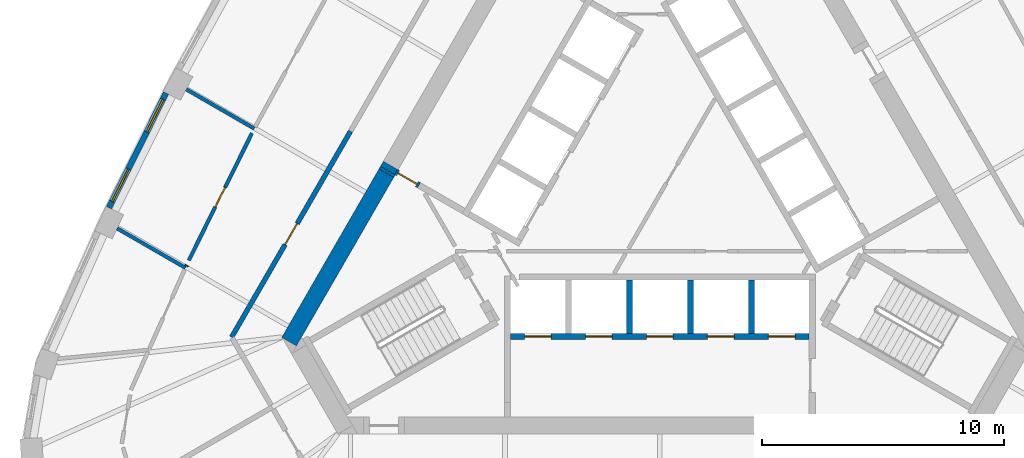
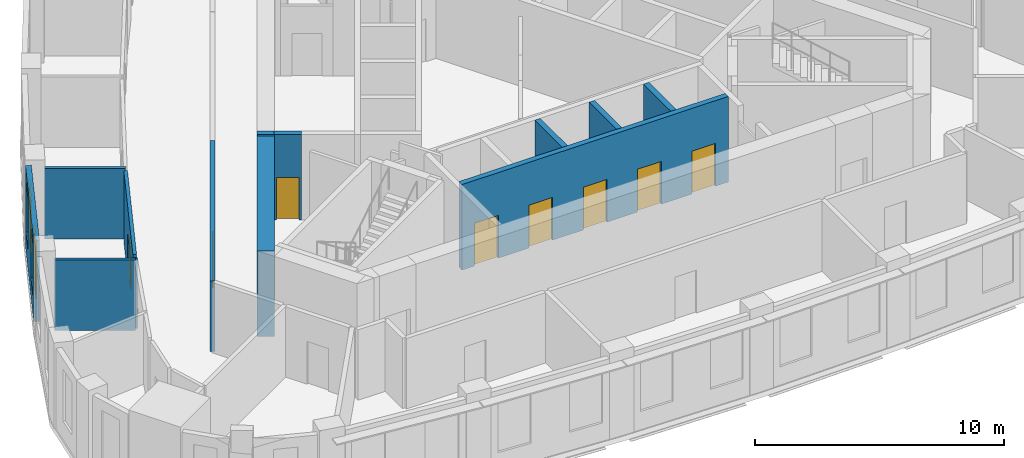
# One storey, part 4 of 11: 14 walls, 8 doors, 2 windows, 10 openings.
"""IFC4 building model written with IfcOpenShell, lengths in metres."""

from ifc_helpers import new_model, si_unit, direction, frame, frame_2d, origin, place, context, subcontext, project, spatial, polyline, rectangle, outline, extrude, material, layer, layer_set, type_object, element, fill, save


model = new_model("IFC4")

# Units and contexts
model_context = context("Model", 3, precision=1e-05, world=origin(), true_north=direction((0.0, 1.0)))
body_context = subcontext(model_context, "Body", "Model", "MODEL_VIEW")
ifc_project = project(units=[si_unit("LENGTHUNIT", "METRE"), si_unit("AREAUNIT", "SQUARE_METRE"), si_unit("VOLUMEUNIT", "CUBIC_METRE"), si_unit("PLANEANGLEUNIT", "RADIAN"), si_unit("MASSUNIT", "GRAM", prefix="KILO")], contexts=[model_context])

# Site, building, storey
site_placement = place(None, origin())
site = spatial("IfcSite", under=ifc_project, at=site_placement, CompositionType="ELEMENT")
building_placement = place(site_placement, origin())
building = spatial("IfcBuilding", under=site, at=building_placement, Name="Mestral Congress Tower", CompositionType="ELEMENT")
storey_placement = place(building_placement, frame((0.0, 0.0, 205.800048828125)))
storey = spatial("IfcBuildingStorey", under=building, at=storey_placement, Name="L48", CompositionType="ELEMENT", Elevation=205.800048828125)

# Walls
ifc_material_1 = material(Name="Concrete C60/75", Category="concrete")
ifc_layer_1 = layer(ifc_material_1, 0.699951171875)
ifc_layer_set_1 = layer_set([ifc_layer_1], Name="Concrete C60/75")
wall_type_1 = type_object("IfcWallType", Name="Core wall RC 700", PredefinedType="SOLIDWALL", material=ifc_layer_set_1)
wall_1_placement = place(storey_placement, frame((-11.30126953125, 0.425537109375, 0.0), z_axis=(0.0, 0.0, 1.0), x_axis=(0.50111559984, 0.865380353138, 0.0)))
element("IfcWall", 1, at=wall_1_placement, inside=storey, type_object=wall_type_1, Name="L48 core wall", PredefinedType="SOLIDWALL", context=body_context, shape_type="SweptSolid", body=[
    extrude(rectangle(XDim=0.121337890625, YDim=0.699951171875, at=frame_2d((0.060546875, 0.0))), origin(), (0.0, 0.0, 1.0), 4.199951171875),
])
wall_2_placement = place(storey_placement, frame((-15.3212890625, -6.537353515625, 0.0), z_axis=(0.0, 0.0, 1.0), x_axis=(0.500000268222, 0.866025248926, 0.0)))
element("IfcWall", 2, at=wall_2_placement, inside=storey, type_object=wall_type_1, Name="L48 core wall", PredefinedType="SOLIDWALL", context=body_context, shape_type="SweptSolid", body=[
    extrude(rectangle(XDim=8.0380859375, YDim=0.699951171875, at=frame_2d((4.01904296875, 0.0))), origin(), (0.0, 0.0, 1.0), 4.199951171875),
])
wall_3_placement = place(storey_placement, origin())
element("IfcWall", 3, at=wall_3_placement, inside=storey, type_object=wall_type_1, Name="L48 core wall", PredefinedType="SOLIDWALL", context=body_context, shape_type="SweptSolid", body=[
    extrude(outline(polyline([(-11.542724609375, 0.70751953125), (-11.423583984375, 0.91357421875), (-10.84326171875, 0.578369140625), (-10.962158203125, 0.372314453125), (-11.542724609375, 0.70751953125)])), origin(), (0.0, 0.0, 1.0), 4.199951171875),
])

# Wall, openings, windows
ifc_material_2 = material(Name="Precast concrete C40/50 with limestone facing", Category="masonry")
ifc_layer_2 = layer(ifc_material_2, 0.239990234375)
ifc_layer_set_2 = layer_set([ifc_layer_2], Name="Precast concrete C40/50 with limestone facing")
wall_type_2 = type_object("IfcWallType", Name="Facade stone wall 240", PredefinedType="SOLIDWALL", material=ifc_layer_set_2)
wall_4_placement = place(storey_placement, frame((-20.407470703125, 3.739501953125, 0.0), z_axis=(0.0, 0.0, 1.0), x_axis=(-0.445129582031, -0.895466166419, 0.0)))
wall_4 = element("IfcWall", 4, at=wall_4_placement, inside=storey, type_object=wall_type_2, Name="Facade wall F2-04", PredefinedType="SOLIDWALL", context=body_context, shape_type="SweptSolid", body=[
    extrude(rectangle(XDim=5.29833984375, YDim=0.239990234375, at=frame_2d((2.649169921875, 0.0))), origin(), (0.0, 0.0, 1.0), 3.949951171875),
])
opening_1_placement = place(wall_4_placement, frame((0.294677734375, 0.0, 0.89990234375)))
opening_1 = element("IfcOpeningElement", 5, at=opening_1_placement, cuts=wall_4, Name="Opening W4", PredefinedType="OPENING", context=body_context, shape_type="SweptSolid", body=[
    extrude(rectangle(XDim=1.5, YDim=2.550048828125, at=frame_2d((0.75, 1.27490234375))), frame((0.0, 0.1298828125, 0.0), z_axis=(0.0, -1.0, 0.0), x_axis=(1.0, 0.0, 0.0)), (0.0, 0.0, 1.0), 0.260009765625),
])
opening_2_placement = place(wall_4_placement, frame((3.503662109375, 0.0, 0.89990234375)))
opening_2 = element("IfcOpeningElement", 6, at=opening_2_placement, cuts=wall_4, Name="Opening W4", PredefinedType="OPENING", context=body_context, shape_type="SweptSolid", body=[
    extrude(rectangle(XDim=1.5, YDim=2.550048828125, at=frame_2d((0.75, 1.27490234375))), frame((0.0, 0.1298828125, 0.0), z_axis=(0.0, -1.0, 0.0), x_axis=(1.0, 0.0, 0.0)), (0.0, 0.0, 1.0), 0.260009765625),
])
ifc_material_3 = material(Name="Clear low-emissivity double glazing", Category="glass")
window_type = type_object("IfcWindowType", Name="Facade punched window 1500 x 2550 sill 900", PartitioningType="SINGLE_PANEL", PredefinedType="WINDOW", material=ifc_material_3)
window_1_placement = place(opening_1_placement, origin())
window_1 = element("IfcWindow", 7, at=window_1_placement, inside=storey, type_object=window_type, Name="Window F2-04a", OverallHeight=2.550048828125, OverallWidth=1.5, PartitioningType="SINGLE_PANEL", PredefinedType="WINDOW", context=body_context, shape_type="SweptSolid", body=[
    extrude(rectangle(XDim=1.5, YDim=2.550048828125, at=frame_2d((0.75, 1.27490234375))), frame((0.0, 0.0400390625, 0.0), z_axis=(0.0, -1.0, 0.0), x_axis=(1.0, 0.0, 0.0)), (0.0, 0.0, 1.0), 0.06005859375),
])
fill(opening_1, window_1)
window_2_placement = place(opening_2_placement, origin())
window_2 = element("IfcWindow", 8, at=window_2_placement, inside=storey, type_object=window_type, Name="Window F2-04b", OverallHeight=2.550048828125, OverallWidth=1.5, PartitioningType="SINGLE_PANEL", PredefinedType="WINDOW", context=body_context, shape_type="SweptSolid", body=[
    extrude(rectangle(XDim=1.5, YDim=2.550048828125, at=frame_2d((0.75, 1.27490234375))), frame((0.0, 0.0400390625, 0.0), z_axis=(0.0, -1.0, 0.0), x_axis=(1.0, 0.0, 0.0)), (0.0, 0.0, 1.0), 0.06005859375),
])
fill(opening_2, window_2)

# Walls
ifc_material_4 = material(Name="Plasterboard partition on steel studs", Category="steel")
ifc_layer_3 = layer(ifc_material_4, 0.14990234375)
ifc_layer_set_3 = layer_set([ifc_layer_3], Name="Plasterboard partition on steel studs")
wall_type_3 = type_object("IfcWallType", Name="Office partition 150", PredefinedType="PARTITIONING", material=ifc_layer_set_3)
wall_5_placement = place(storey_placement, frame((-16.761474609375, 2.267578125, 0.0), z_axis=(0.0, 0.0, 1.0), x_axis=(-0.866022812202, 0.500004488726, 0.0)))
element("IfcWall", 9, at=wall_5_placement, inside=storey, type_object=wall_type_3, Name="Partition", PredefinedType="PARTITIONING", context=body_context, shape_type="SweptSolid", body=[
    extrude(rectangle(XDim=3.2470703125, YDim=0.14990234375, at=frame_2d((1.62353515625, 0.0))), origin(), (0.0, 0.0, 1.0), 3.449951171875),
])
wall_6_placement = place(storey_placement, frame((-19.606201171875, -3.48681640625, 0.0), z_axis=(0.0, 0.0, 1.0), x_axis=(-0.866017179828, 0.50001424404, 0.0)))
element("IfcWall", 10, at=wall_6_placement, inside=storey, type_object=wall_type_3, Name="Partition", PredefinedType="PARTITIONING", context=body_context, shape_type="SweptSolid", body=[
    extrude(rectangle(XDim=3.25927734375, YDim=0.14990234375, at=frame_2d((1.629638671875, 0.0))), origin(), (0.0, 0.0, 1.0), 3.449951171875),
])

# Wall, opening, door
wall_7_placement = place(storey_placement, frame((-19.46728515625, -3.17529296875, 0.0), z_axis=(0.0, 0.0, 1.0), x_axis=(0.445180755526, 0.895440726631, 0.0)))
wall_7 = element("IfcWall", 11, at=wall_7_placement, inside=storey, type_object=wall_type_3, Name="Partition", PredefinedType="PARTITIONING", context=body_context, shape_type="SweptSolid", body=[
    extrude(rectangle(XDim=5.864013671875, YDim=0.14990234375, at=frame_2d((2.93212890625, 0.0))), origin(), (0.0, 0.0, 1.0), 3.449951171875),
])
opening_3_placement = place(wall_7_placement, frame((2.464111328125, 0.0, 0.0)))
opening_3 = element("IfcOpeningElement", 12, at=opening_3_placement, cuts=wall_7, Name="Opening O06-015", PredefinedType="OPENING", context=body_context, shape_type="SweptSolid", body=[
    extrude(rectangle(XDim=0.89990234375, YDim=2.10009765625, at=frame_2d((0.449951171875, 1.050048828125))), frame((0.0, 0.0849609375, 0.0), z_axis=(0.0, -1.0, 0.0), x_axis=(1.0, 0.0, 0.0)), (0.0, 0.0, 1.0), 0.169921875),
])
ifc_material_5 = material(Name="Timber door set", Category="wood")
door_type_1 = type_object("IfcDoorType", Name="Office door 900x2100", OperationType="SINGLE_SWING_LEFT", PredefinedType="DOOR", material=ifc_material_5)
door_1_placement = place(opening_3_placement, origin())
door_1 = element("IfcDoor", 13, at=door_1_placement, inside=storey, type_object=door_type_1, Name="Door O06-015", OperationType="SINGLE_SWING_LEFT", OverallHeight=2.10009765625, OverallWidth=0.89990234375, PredefinedType="DOOR", context=body_context, shape_type="SweptSolid", body=[
    extrude(rectangle(XDim=0.89990234375, YDim=2.10009765625, at=frame_2d((0.449951171875, 1.050048828125))), frame((0.0, 0.02490234375, 0.0), z_axis=(0.0, -1.0, 0.0), x_axis=(1.0, 0.0, 0.0)), (0.0, 0.0, 1.0), 0.050048828125),
])
fill(opening_3, door_1)

# Wall
wall_8_placement = place(storey_placement, frame((-19.554443359375, -3.370849609375, 0.0), z_axis=(0.0, 0.0, 1.0), x_axis=(-0.408782924594, -0.912631645605, 0.0)))
element("IfcWall", 14, at=wall_8_placement, inside=storey, type_object=wall_type_3, Name="Partition", PredefinedType="PARTITIONING", context=body_context, shape_type="SweptSolid", body=[
    extrude(rectangle(XDim=0.05126953125, YDim=0.14990234375, at=frame_2d((0.025634765625, 0.0))), origin(), (0.0, 0.0, 1.0), 3.449951171875),
])

# Wall, opening, door
ifc_material_6 = material(Name="Dense masonry wall, plastered", Category="masonry")
ifc_layer_4 = layer(ifc_material_6, 0.199951171875)
ifc_layer_set_4 = layer_set([ifc_layer_4], Name="Dense masonry wall, plastered")
wall_type_4 = type_object("IfcWallType", Name="Office tenancy wall 200", PredefinedType="PARTITIONING", material=ifc_layer_set_4)
wall_9_placement = place(storey_placement, frame((-12.787109375, 2.15185546875, 0.0), z_axis=(0.0, 0.0, 1.0), x_axis=(-0.50000660679, -0.866021589319, 0.0)))
wall_9 = element("IfcWall", 15, at=wall_9_placement, inside=storey, type_object=wall_type_4, Name="Tenancy wall", PredefinedType="PARTITIONING", context=body_context, shape_type="SweptSolid", body=[
    extrude(rectangle(XDim=9.817138671875, YDim=0.199951171875, at=frame_2d((4.90869140625, 0.0))), origin(), (0.0, 0.0, 1.0), 3.449951171875),
])
opening_4_placement = place(wall_9_placement, frame((4.39990234375, 0.0, 0.0)))
opening_4 = element("IfcOpeningElement", 16, at=opening_4_placement, cuts=wall_9, Name="Opening O06-018", PredefinedType="OPENING", context=body_context, shape_type="SweptSolid", body=[
    extrude(rectangle(XDim=1.0, YDim=2.10009765625, at=frame_2d((0.5, 1.050048828125))), frame((0.0, 0.10986328125, 0.0), z_axis=(0.0, -1.0, 0.0), x_axis=(1.0, 0.0, 0.0)), (0.0, 0.0, 1.0), 0.219970703125),
])
ifc_material_7 = material(Name="Fire-rated timber door set", Category="wood")
door_type_2 = type_object("IfcDoorType", Name="Office tenancy entrance door 1000x2100", OperationType="SINGLE_SWING_LEFT", PredefinedType="DOOR", material=ifc_material_7)
door_2_placement = place(opening_4_placement, origin())
door_2 = element("IfcDoor", 17, at=door_2_placement, inside=storey, type_object=door_type_2, Name="Door O06-018", OperationType="SINGLE_SWING_LEFT", OverallHeight=2.10009765625, OverallWidth=1.0, PredefinedType="DOOR", context=body_context, shape_type="SweptSolid", body=[
    extrude(rectangle(XDim=1.0, YDim=2.10009765625, at=frame_2d((0.5, 1.050048828125))), frame((0.0, 0.02490234375, 0.0), z_axis=(0.0, -1.0, 0.0), x_axis=(1.0, 0.0, 0.0)), (0.0, 0.0, 1.0), 0.050048828125),
])
fill(opening_4, door_2)

# Walls
ifc_layer_5 = layer(ifc_material_1, 0.25)
ifc_layer_set_5 = layer_set([ifc_layer_5], Name="Concrete C60/75")
wall_type_5 = type_object("IfcWallType", Name="Shaft wall RC 250", PredefinedType="SOLIDWALL", material=ifc_layer_set_5)
for number, where, z_axis, x_axis, name in (
    (18, (3.780029296875, -4.0, 0.0), (0.0, 0.0, 1.0), (0.0, -1.0, 0.0), "L48 core wall"),
    (19, (1.260009765625, -4.0, 0.0), (0.0, 0.0, 1.0), (0.0, -1.0, 0.0), "L48 core wall"),
    (20, (-1.260009765625, -4.0, 0.0), (0.0, 0.0, 1.0), (0.0, -1.0, 0.0), "L48 core wall"),
):
    element("IfcWall", number, at=place(storey_placement, frame(where, z_axis=z_axis, x_axis=x_axis)), inside=storey, type_object=wall_type_5, Name=name, PredefinedType="SOLIDWALL", context=body_context, shape_type="SweptSolid", body=[
        extrude(rectangle(XDim=2.199951171875, YDim=0.25, at=frame_2d((1.10009765625, 0.0))), origin(), (0.0, 0.0, 1.0), 4.199951171875),
    ])

# Wall, openings, doors
wall_10_placement = place(storey_placement, frame((-6.175048828125, -6.324951171875, 0.0), z_axis=(0.0, 0.0, 1.0), x_axis=(1.0, 0.0, 0.0)))
wall_10 = element("IfcWall", 21, at=wall_10_placement, inside=storey, type_object=wall_type_5, Name="L48 door wall", PredefinedType="SOLIDWALL", context=body_context, shape_type="SweptSolid", body=[
    extrude(rectangle(XDim=12.35009765625, YDim=0.25, at=frame_2d((6.175048828125, 0.0))), origin(), (0.0, 0.0, 1.0), 4.199951171875),
])
opening_5_placement = place(wall_10_placement, frame((0.5849609375, 0.0, 0.0)))
opening_5 = element("IfcOpeningElement", 22, at=opening_5_placement, cuts=wall_10, Name="Opening LD-SOB1", PredefinedType="OPENING", context=body_context, shape_type="SweptSolid", body=[
    extrude(rectangle(XDim=1.10009765625, YDim=2.10009765625, at=frame_2d((0.550048828125, 1.050048828125))), frame((0.0, 0.135009765625, 0.0), z_axis=(0.0, -1.0, 0.0), x_axis=(1.0, 0.0, 0.0)), (0.0, 0.0, 1.0), 0.27001953125),
])
opening_6_placement = place(wall_10_placement, frame((3.10498046875, 0.0, 0.0)))
opening_6 = element("IfcOpeningElement", 23, at=opening_6_placement, cuts=wall_10, Name="Opening LD-SOB2", PredefinedType="OPENING", context=body_context, shape_type="SweptSolid", body=[
    extrude(rectangle(XDim=1.10009765625, YDim=2.10009765625, at=frame_2d((0.550048828125, 1.050048828125))), frame((0.0, 0.135009765625, 0.0), z_axis=(0.0, -1.0, 0.0), x_axis=(1.0, 0.0, 0.0)), (0.0, 0.0, 1.0), 0.27001953125),
])
opening_7_placement = place(wall_10_placement, frame((5.625, 0.0, 0.0)))
opening_7 = element("IfcOpeningElement", 24, at=opening_7_placement, cuts=wall_10, Name="Opening LD-SOB3", PredefinedType="OPENING", context=body_context, shape_type="SweptSolid", body=[
    extrude(rectangle(XDim=1.10009765625, YDim=2.10009765625, at=frame_2d((0.550048828125, 1.050048828125))), frame((0.0, 0.135009765625, 0.0), z_axis=(0.0, -1.0, 0.0), x_axis=(1.0, 0.0, 0.0)), (0.0, 0.0, 1.0), 0.27001953125),
])
opening_8_placement = place(wall_10_placement, frame((8.14501953125, 0.0, 0.0)))
opening_8 = element("IfcOpeningElement", 25, at=opening_8_placement, cuts=wall_10, Name="Opening LD-SOB4", PredefinedType="OPENING", context=body_context, shape_type="SweptSolid", body=[
    extrude(rectangle(XDim=1.10009765625, YDim=2.10009765625, at=frame_2d((0.550048828125, 1.050048828125))), frame((0.0, 0.135009765625, 0.0), z_axis=(0.0, -1.0, 0.0), x_axis=(1.0, 0.0, 0.0)), (0.0, 0.0, 1.0), 0.27001953125),
])
opening_9_placement = place(wall_10_placement, frame((10.6650390625, 0.0, 0.0)))
opening_9 = element("IfcOpeningElement", 26, at=opening_9_placement, cuts=wall_10, Name="Opening LD-SOB5", PredefinedType="OPENING", context=body_context, shape_type="SweptSolid", body=[
    extrude(rectangle(XDim=1.10009765625, YDim=2.10009765625, at=frame_2d((0.550048828125, 1.050048828125))), frame((0.0, 0.135009765625, 0.0), z_axis=(0.0, -1.0, 0.0), x_axis=(1.0, 0.0, 0.0)), (0.0, 0.0, 1.0), 0.27001953125),
])
ifc_material_8 = material(Name="Fire-rated steel door set", Category="steel")
door_type_3 = type_object("IfcDoorType", Name="Core door LD 1100x2100", OperationType="DOUBLE_DOOR_SLIDING", PredefinedType="DOOR", material=ifc_material_8)
door_3_placement = place(opening_5_placement, origin())
door_3 = element("IfcDoor", 27, at=door_3_placement, inside=storey, type_object=door_type_3, Name="Door LD-SOB1", OperationType="DOUBLE_DOOR_SLIDING", OverallHeight=2.10009765625, OverallWidth=1.10009765625, PredefinedType="DOOR", context=body_context, shape_type="SweptSolid", body=[
    extrude(rectangle(XDim=1.10009765625, YDim=2.10009765625, at=frame_2d((0.550048828125, 1.050048828125))), frame((0.0, 0.02490234375, 0.0), z_axis=(0.0, -1.0, 0.0), x_axis=(1.0, 0.0, 0.0)), (0.0, 0.0, 1.0), 0.050048828125),
])
fill(opening_5, door_3)
door_4_placement = place(opening_6_placement, origin())
door_4 = element("IfcDoor", 28, at=door_4_placement, inside=storey, type_object=door_type_3, Name="Door LD-SOB2", OperationType="DOUBLE_DOOR_SLIDING", OverallHeight=2.10009765625, OverallWidth=1.10009765625, PredefinedType="DOOR", context=body_context, shape_type="SweptSolid", body=[
    extrude(rectangle(XDim=1.10009765625, YDim=2.10009765625, at=frame_2d((0.550048828125, 1.050048828125))), frame((0.0, 0.02490234375, 0.0), z_axis=(0.0, -1.0, 0.0), x_axis=(1.0, 0.0, 0.0)), (0.0, 0.0, 1.0), 0.050048828125),
])
fill(opening_6, door_4)
door_5_placement = place(opening_7_placement, origin())
door_5 = element("IfcDoor", 29, at=door_5_placement, inside=storey, type_object=door_type_3, Name="Door LD-SOB3", OperationType="DOUBLE_DOOR_SLIDING", OverallHeight=2.10009765625, OverallWidth=1.10009765625, PredefinedType="DOOR", context=body_context, shape_type="SweptSolid", body=[
    extrude(rectangle(XDim=1.10009765625, YDim=2.10009765625, at=frame_2d((0.550048828125, 1.050048828125))), frame((0.0, 0.02490234375, 0.0), z_axis=(0.0, -1.0, 0.0), x_axis=(1.0, 0.0, 0.0)), (0.0, 0.0, 1.0), 0.050048828125),
])
fill(opening_7, door_5)
door_6_placement = place(opening_8_placement, origin())
door_6 = element("IfcDoor", 30, at=door_6_placement, inside=storey, type_object=door_type_3, Name="Door LD-SOB4", OperationType="DOUBLE_DOOR_SLIDING", OverallHeight=2.10009765625, OverallWidth=1.10009765625, PredefinedType="DOOR", context=body_context, shape_type="SweptSolid", body=[
    extrude(rectangle(XDim=1.10009765625, YDim=2.10009765625, at=frame_2d((0.550048828125, 1.050048828125))), frame((0.0, 0.02490234375, 0.0), z_axis=(0.0, -1.0, 0.0), x_axis=(1.0, 0.0, 0.0)), (0.0, 0.0, 1.0), 0.050048828125),
])
fill(opening_8, door_6)
door_7_placement = place(opening_9_placement, origin())
door_7 = element("IfcDoor", 31, at=door_7_placement, inside=storey, type_object=door_type_3, Name="Door LD-SOB5", OperationType="DOUBLE_DOOR_SLIDING", OverallHeight=2.10009765625, OverallWidth=1.10009765625, PredefinedType="DOOR", context=body_context, shape_type="SweptSolid", body=[
    extrude(rectangle(XDim=1.10009765625, YDim=2.10009765625, at=frame_2d((0.550048828125, 1.050048828125))), frame((0.0, 0.02490234375, 0.0), z_axis=(0.0, -1.0, 0.0), x_axis=(1.0, 0.0, 0.0)), (0.0, 0.0, 1.0), 0.050048828125),
])
fill(opening_9, door_7)

# Wall, opening, door
wall_11_placement = place(storey_placement, frame((-9.9501953125, -0.074951171875, 0.0), z_axis=(0.0, 0.0, 1.0), x_axis=(-0.865952669392, 0.500125958508, 0.0)))
wall_11 = element("IfcWall", 32, at=wall_11_placement, inside=storey, type_object=wall_type_5, Name="L48 door wall", PredefinedType="SOLIDWALL", context=body_context, shape_type="SweptSolid", body=[
    extrude(rectangle(XDim=1.099853515625, YDim=0.25, at=frame_2d((0.5498046875, 0.0))), origin(), (0.0, 0.0, 1.0), 4.199951171875),
])
opening_10_placement = place(wall_11_placement, frame((0.10009765625, 0.0, 0.0)))
opening_10 = element("IfcOpeningElement", 33, at=opening_10_placement, cuts=wall_11, Name="Opening TD3", PredefinedType="OPENING", context=body_context, shape_type="SweptSolid", body=[
    extrude(rectangle(XDim=0.89990234375, YDim=2.10009765625, at=frame_2d((0.449951171875, 1.050048828125))), frame((0.0, 0.135009765625, 0.0), z_axis=(0.0, -1.0, 0.0), x_axis=(1.0, 0.0, 0.0)), (0.0, 0.0, 1.0), 0.27001953125),
])
door_type_4 = type_object("IfcDoorType", Name="Core door SR 900x2100", OperationType="SINGLE_SWING_LEFT", PredefinedType="DOOR", material=ifc_material_8)
door_8_placement = place(opening_10_placement, origin())
door_8 = element("IfcDoor", 34, at=door_8_placement, inside=storey, type_object=door_type_4, Name="Door TD3", OperationType="SINGLE_SWING_LEFT", OverallHeight=2.10009765625, OverallWidth=0.89990234375, PredefinedType="DOOR", context=body_context, shape_type="SweptSolid", body=[
    extrude(rectangle(XDim=0.89990234375, YDim=2.10009765625, at=frame_2d((0.449951171875, 1.050048828125))), frame((0.0, 0.02490234375, 0.0), z_axis=(0.0, -1.0, 0.0), x_axis=(1.0, 0.0, 0.0)), (0.0, 0.0, 1.0), 0.050048828125),
])
fill(opening_10, door_8)

save(model, "model.ifc")
